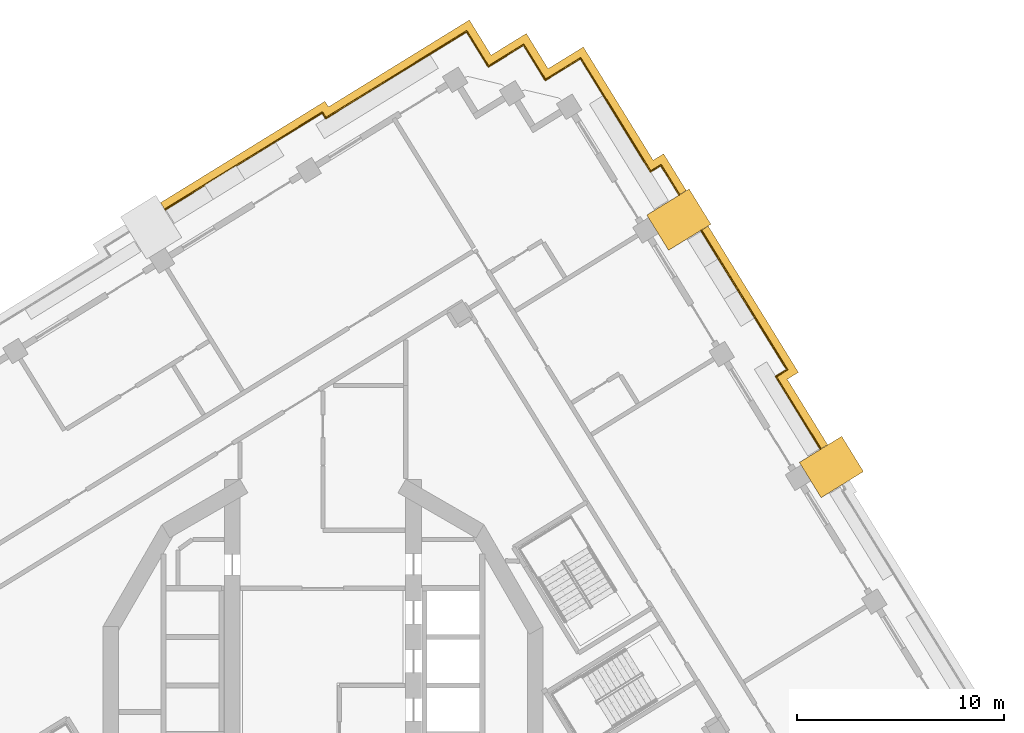
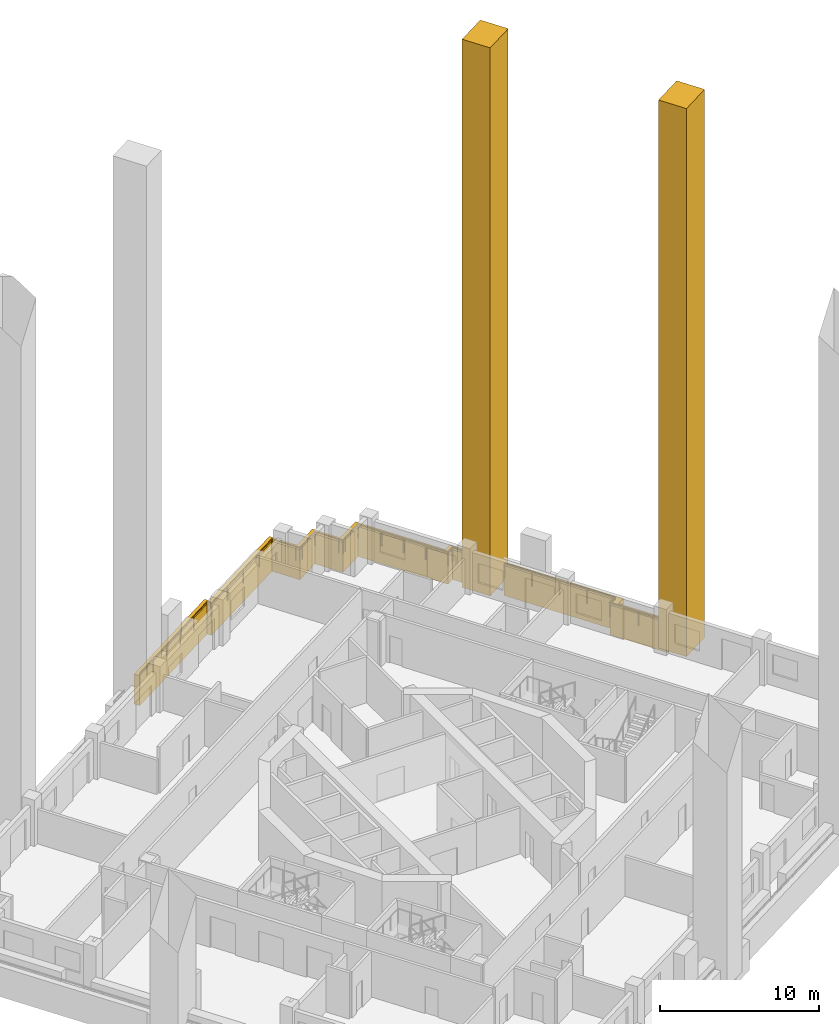
# One storey, part 18 of 19: 4 coverings, 4 railings.
"""IFC4 building model written with IfcOpenShell, lengths in metres."""

from ifc_helpers import new_model, si_unit, direction, frame, origin, origin_2d, place, context, subcontext, project, spatial, polyline, rectangle, circle, outline, extrude, material, type_object, element, save


model = new_model("IFC4")

# Units and contexts
model_context = context("Model", 3, precision=1e-05, world=origin(), true_north=direction((0.0, 1.0)))
body_context = subcontext(model_context, "Body", "Model", "MODEL_VIEW")
ifc_project = project(units=[si_unit("LENGTHUNIT", "METRE"), si_unit("AREAUNIT", "SQUARE_METRE"), si_unit("VOLUMEUNIT", "CUBIC_METRE"), si_unit("PLANEANGLEUNIT", "RADIAN"), si_unit("MASSUNIT", "GRAM", prefix="KILO")], contexts=[model_context])

# Site, building, storey
site_placement = place(None, origin())
site = spatial("IfcSite", under=ifc_project, at=site_placement, CompositionType="ELEMENT")
building_placement = place(site_placement, origin())
building = spatial("IfcBuilding", under=site, at=building_placement, Name="Cantera Rosa Tower", CompositionType="ELEMENT")
storey_placement = place(building_placement, frame((0.0, 0.0, 147.60009765625)))
storey = spatial("IfcBuildingStorey", under=building, at=storey_placement, Name="L31", CompositionType="ELEMENT", Elevation=147.60009765625)

# Railings
ifc_material_1 = material(Name="Stainless steel and laminated glass", Category="steel")
railing_type = type_object("IfcRailingType", Name="GUARD 1100", PredefinedType="BALUSTRADE", material=ifc_material_1)
railing_1_placement = place(storey_placement, frame((21.87841796875, 14.926025390625, 0.0)))
element("IfcRailing", 1, at=railing_1_placement, inside=storey, type_object=railing_type, Name="GUARD L31-12", PredefinedType="BALUSTRADE", context=body_context, shape_type="SweptSolid", body=[
    extrude(circle(Radius=0.030029296875, at=origin_2d()), frame((0.0, 0.0, 1.070068359375), z_axis=(0.524961354573, -0.851126063639, 0.0), x_axis=(0.851126063639, 0.524961354573, 0.0)), (0.0, 0.0, 1.0), 4.09814453125),
    extrude(circle(Radius=0.02490234375, at=origin_2d()), origin(), (0.0, 0.0, 1.0), 1.0400390625),
    extrude(circle(Radius=0.02490234375, at=origin_2d()), frame((1.07568359375, -1.744140625, 0.0)), (0.0, 0.0, 1.0), 1.0400390625),
    extrude(circle(Radius=0.02490234375, at=origin_2d()), frame((2.1513671875, -3.488037109375, 0.0)), (0.0, 0.0, 1.0), 1.0400390625),
])
railing_2_placement = place(storey_placement, frame((18.281005859375, 21.9677734375, 0.0)))
element("IfcRailing", 2, at=railing_2_placement, inside=storey, type_object=railing_type, Name="GUARD L31-13", PredefinedType="BALUSTRADE", context=body_context, shape_type="SweptSolid", body=[
    extrude(circle(Radius=0.030029296875, at=origin_2d()), frame((0.0, 0.0, 1.070068359375), z_axis=(0.524983698437, -0.851112281885, 0.0), x_axis=(0.851112281885, 0.524983698437, 0.0)), (0.0, 0.0, 1.0), 7.882080078125),
    extrude(circle(Radius=0.030029296875, at=origin_2d()), frame((4.137939453125, -6.70849609375, 1.070068359375), z_axis=(-0.85122239687, -0.524805136281, 0.0), x_axis=(0.524805136281, -0.85122239687, 0.0)), (0.0, 0.0, 1.0), 0.635009765625),
    extrude(circle(Radius=0.02490234375, at=origin_2d()), origin(), (0.0, 0.0, 1.0), 1.0400390625),
    extrude(circle(Radius=0.02490234375, at=origin_2d()), frame((1.034423828125, -1.67724609375, 0.0)), (0.0, 0.0, 1.0), 1.0400390625),
    extrude(circle(Radius=0.02490234375, at=origin_2d()), frame((2.06884765625, -3.354248046875, 0.0)), (0.0, 0.0, 1.0), 1.0400390625),
    extrude(circle(Radius=0.02490234375, at=origin_2d()), frame((3.103515625, -5.03125, 0.0)), (0.0, 0.0, 1.0), 1.0400390625),
    extrude(circle(Radius=0.02490234375, at=origin_2d()), frame((4.137939453125, -6.70849609375, 0.0)), (0.0, 0.0, 1.0), 1.0400390625),
    extrude(circle(Radius=0.02490234375, at=origin_2d()), frame((3.597412109375, -7.041748046875, 0.0)), (0.0, 0.0, 1.0), 1.0400390625),
])
railing_3_placement = place(storey_placement, frame((12.44873046875, 30.2958984375, 0.0)))
element("IfcRailing", 3, at=railing_3_placement, inside=storey, type_object=railing_type, Name="GUARD L31-14", PredefinedType="BALUSTRADE", context=body_context, shape_type="SweptSolid", body=[
    extrude(circle(Radius=0.030029296875, at=origin_2d()), frame((0.0, 0.0, 1.070068359375), z_axis=(0.524994468487, -0.851105638601, 0.0), x_axis=(0.851105638601, 0.524994468487, 0.0)), (0.0, 0.0, 1.0), 1.7001953125),
    extrude(circle(Radius=0.030029296875, at=origin_2d()), frame((0.892578125, -1.447021484375, 1.070068359375), z_axis=(0.525004673435, -0.851099343715, 0.0), x_axis=(0.851099343715, 0.525004673435, 0.0)), (0.0, 0.0, 1.0), 4.72802734375),
    extrude(circle(Radius=0.030029296875, at=origin_2d()), frame((3.374755859375, -5.470947265625, 1.070068359375), z_axis=(0.851204663561, 0.524833898231, 0.0), x_axis=(-0.524833898231, 0.851204663561, 0.0)), (0.0, 0.0, 1.0), 0.591796875),
    extrude(circle(Radius=0.030029296875, at=origin_2d()), frame((3.87841796875, -5.160400390625, 1.070068359375), z_axis=(0.525064312401, -0.85106255225, 0.0), x_axis=(0.85106255225, 0.525064312401, 0.0)), (0.0, 0.0, 1.0), 1.661865234375),
    extrude(circle(Radius=0.02490234375, at=origin_2d()), origin(), (0.0, 0.0, 1.0), 1.0400390625),
    extrude(circle(Radius=0.02490234375, at=origin_2d()), frame((0.892578125, -1.447021484375, 0.0)), (0.0, 0.0, 1.0), 1.0400390625),
    extrude(circle(Radius=0.02490234375, at=origin_2d()), frame((1.719970703125, -2.788330078125, 0.0)), (0.0, 0.0, 1.0), 1.0400390625),
    extrude(circle(Radius=0.02490234375, at=origin_2d()), frame((2.54736328125, -4.129638671875, 0.0)), (0.0, 0.0, 1.0), 1.0400390625),
    extrude(circle(Radius=0.02490234375, at=origin_2d()), frame((3.374755859375, -5.470947265625, 0.0)), (0.0, 0.0, 1.0), 1.0400390625),
    extrude(circle(Radius=0.02490234375, at=origin_2d()), frame((3.87841796875, -5.160400390625, 0.0)), (0.0, 0.0, 1.0), 1.0400390625),
    extrude(circle(Radius=0.02490234375, at=origin_2d()), frame((4.7509765625, -6.57470703125, 0.0)), (0.0, 0.0, 1.0), 1.0400390625),
])
railing_4_placement = place(storey_placement, frame((-7.6162109375, 22.99560546875, 0.0)))
element("IfcRailing", 4, at=railing_4_placement, inside=storey, type_object=railing_type, Name="GUARD L31-15", PredefinedType="BALUSTRADE", context=body_context, shape_type="SweptSolid", body=[
    extrude(circle(Radius=0.030029296875, at=origin_2d()), frame((0.0, 0.0, 1.070068359375), z_axis=(0.851115983017, 0.524977698053, 0.0), x_axis=(-0.524977698053, 0.851115983017, 0.0)), (0.0, 0.0, 1.0), 8.910400390625),
    extrude(circle(Radius=0.030029296875, at=origin_2d()), frame((7.583740234375, 4.677734375, 1.070068359375), z_axis=(0.525330545402, -0.850898241899, 0.0), x_axis=(0.850898241899, 0.525330545402, 0.0)), (0.0, 0.0, 1.0), 0.3203125),
    extrude(circle(Radius=0.030029296875, at=origin_2d()), frame((7.751953125, 4.4052734375, 1.070068359375), z_axis=(0.851122963342, 0.524966381087, 0.0), x_axis=(-0.524966381087, 0.851122963342, 0.0)), (0.0, 0.0, 1.0), 6.2998046875),
    extrude(circle(Radius=0.030029296875, at=origin_2d()), frame((13.11376953125, 7.71240234375, 1.070068359375), z_axis=(0.851130227454, 0.524954603669, 0.0), x_axis=(-0.524954603669, 0.851130227454, 0.0)), (0.0, 0.0, 1.0), 1.699951171875),
    extrude(circle(Radius=0.030029296875, at=origin_2d()), frame((14.560546875, 8.604736328125, 1.070068359375), z_axis=(0.525058638144, -0.851066052965, 0.0), x_axis=(0.851066052965, 0.525058638144, 0.0)), (0.0, 0.0, 1.0), 1.699951171875),
    extrude(circle(Radius=0.030029296875, at=origin_2d()), frame((15.453125, 7.157958984375, 1.070068359375), z_axis=(0.524869051004, -0.85118298814, 0.0), x_axis=(0.85118298814, 0.524869051004, 0.0)), (0.0, 0.0, 1.0), 0.300048828125),
    extrude(circle(Radius=0.030029296875, at=origin_2d()), frame((15.610595703125, 6.902587890625, 1.070068359375), z_axis=(0.85118298814, 0.524869051004, 0.0), x_axis=(-0.524869051004, 0.85118298814, 0.0)), (0.0, 0.0, 1.0), 0.300048828125),
    extrude(circle(Radius=0.030029296875, at=origin_2d()), frame((15.865966796875, 7.06005859375, 1.070068359375), z_axis=(0.851066052965, 0.525058638144, 0.0), x_axis=(-0.525058638144, 0.851066052965, 0.0)), (0.0, 0.0, 1.0), 1.699951171875),
    extrude(circle(Radius=0.030029296875, at=origin_2d()), frame((17.312744140625, 7.95263671875, 1.070068359375), z_axis=(0.524994468487, -0.851105638601, 0.0), x_axis=(0.851105638601, 0.524994468487, 0.0)), (0.0, 0.0, 1.0), 1.7001953125),
    extrude(circle(Radius=0.030029296875, at=origin_2d()), frame((18.205322265625, 6.505615234375, 1.070068359375), z_axis=(0.524869051004, -0.85118298814, 0.0), x_axis=(0.85118298814, 0.524869051004, 0.0)), (0.0, 0.0, 1.0), 0.300048828125),
    extrude(circle(Radius=0.030029296875, at=origin_2d()), frame((18.36279296875, 6.250244140625, 1.070068359375), z_axis=(0.85118298814, 0.524869051004, 0.0), x_axis=(-0.524869051004, 0.85118298814, 0.0)), (0.0, 0.0, 1.0), 0.300048828125),
    extrude(circle(Radius=0.030029296875, at=origin_2d()), frame((18.6181640625, 6.40771484375, 1.070068359375), z_axis=(0.851066052965, 0.525058638144, 0.0), x_axis=(-0.525058638144, 0.851066052965, 0.0)), (0.0, 0.0, 1.0), 1.699951171875),
    extrude(circle(Radius=0.02490234375, at=origin_2d()), origin(), (0.0, 0.0, 1.0), 1.0400390625),
    extrude(circle(Radius=0.02490234375, at=origin_2d()), frame((1.516845703125, 0.935546875, 0.0)), (0.0, 0.0, 1.0), 1.0400390625),
    extrude(circle(Radius=0.02490234375, at=origin_2d()), frame((3.033447265625, 1.87109375, 0.0)), (0.0, 0.0, 1.0), 1.0400390625),
    extrude(circle(Radius=0.02490234375, at=origin_2d()), frame((4.55029296875, 2.806640625, 0.0)), (0.0, 0.0, 1.0), 1.0400390625),
    extrude(circle(Radius=0.02490234375, at=origin_2d()), frame((6.06689453125, 3.7421875, 0.0)), (0.0, 0.0, 1.0), 1.0400390625),
    extrude(circle(Radius=0.02490234375, at=origin_2d()), frame((7.583740234375, 4.677734375, 0.0)), (0.0, 0.0, 1.0), 1.0400390625),
    extrude(circle(Radius=0.02490234375, at=origin_2d()), frame((7.751953125, 4.4052734375, 0.0)), (0.0, 0.0, 1.0), 1.0400390625),
    extrude(circle(Radius=0.02490234375, at=origin_2d()), frame((9.539306640625, 5.507568359375, 0.0)), (0.0, 0.0, 1.0), 1.0400390625),
    extrude(circle(Radius=0.02490234375, at=origin_2d()), frame((11.326416015625, 6.610107421875, 0.0)), (0.0, 0.0, 1.0), 1.0400390625),
    extrude(circle(Radius=0.02490234375, at=origin_2d()), frame((13.11376953125, 7.71240234375, 0.0)), (0.0, 0.0, 1.0), 1.0400390625),
    extrude(circle(Radius=0.02490234375, at=origin_2d()), frame((14.560546875, 8.604736328125, 0.0)), (0.0, 0.0, 1.0), 1.0400390625),
    extrude(circle(Radius=0.02490234375, at=origin_2d()), frame((15.453125, 7.157958984375, 0.0)), (0.0, 0.0, 1.0), 1.0400390625),
    extrude(circle(Radius=0.02490234375, at=origin_2d()), frame((15.610595703125, 6.902587890625, 0.0)), (0.0, 0.0, 1.0), 1.0400390625),
    extrude(circle(Radius=0.02490234375, at=origin_2d()), frame((15.865966796875, 7.06005859375, 0.0)), (0.0, 0.0, 1.0), 1.0400390625),
    extrude(circle(Radius=0.02490234375, at=origin_2d()), frame((17.312744140625, 7.95263671875, 0.0)), (0.0, 0.0, 1.0), 1.0400390625),
    extrude(circle(Radius=0.02490234375, at=origin_2d()), frame((18.205322265625, 6.505615234375, 0.0)), (0.0, 0.0, 1.0), 1.0400390625),
    extrude(circle(Radius=0.02490234375, at=origin_2d()), frame((18.36279296875, 6.250244140625, 0.0)), (0.0, 0.0, 1.0), 1.0400390625),
    extrude(circle(Radius=0.02490234375, at=origin_2d()), frame((18.6181640625, 6.40771484375, 0.0)), (0.0, 0.0, 1.0), 1.0400390625),
    extrude(circle(Radius=0.02490234375, at=origin_2d()), frame((20.06494140625, 7.30029296875, 0.0)), (0.0, 0.0, 1.0), 1.0400390625),
])

# Coverings
ifc_material_2 = material(Name="Cantera stone", Category="masonry")
covering_type_1 = type_object("IfcCoveringType", Name="STONE FIN 2000x2400", PredefinedType="CLADDING", material=ifc_material_2)
for number, where, z_axis, x_axis, name in (
    (5, (24.564697265625, 10.557861328125, -0.300048828125), (0.0, 0.0, 1.0), (-0.52497658034, 0.851116672434, 0.0), "STONE FIN FN-Z3-01"),
    (6, (17.194091796875, 22.50732421875, -0.300048828125), (0.0, 0.0, 1.0), (-0.52497658034, 0.851116672434, 0.0), "STONE FIN FN-Z3-02"),
):
    element("IfcCovering", number, at=place(storey_placement, frame(where, z_axis=z_axis, x_axis=x_axis)), inside=storey, type_object=covering_type_1, Name=name, PredefinedType="CLADDING", context=body_context, shape_type="SweptSolid", body=[
        extrude(rectangle(XDim=2.0, YDim=2.39990234375, at=origin_2d()), origin(), (0.0, 0.0, 1.0), 42.10009765625),
    ])
ifc_material_3 = material(Name="Cantera stone", Category="masonry")
covering_type_2 = type_object("IfcCoveringType", Name="TRAY FASCIA 400", PredefinedType="CLADDING", material=ifc_material_3)
covering_1_placement = place(storey_placement, frame((0.0, 0.0, -1.400146484375)))
element("IfcCovering", 7, at=covering_1_placement, inside=storey, type_object=covering_type_2, Name="TRAY FASCIA L31-05", PredefinedType="CLADDING", context=body_context, shape_type="SweptSolid", body=[
    extrude(outline(polyline([(0.09814453125, 28.223876953125), (0.26611328125, 27.951171875), (5.28759765625, 31.04833984375), (7.074951171875, 32.15087890625), (8.124755859375, 30.44873046875), (9.8271484375, 31.49853515625), (10.876953125, 29.79638671875), (12.579345703125, 30.84619140625), (13.681640625, 29.05908203125), (15.953857421875, 25.375244140625), (16.45751953125, 25.68603515625), (17.550537109375, 23.9140625), (17.210205078125, 23.7041015625), (16.3271484375, 25.135498046875), (15.823486328125, 24.824951171875), (13.34130859375, 28.848876953125), (12.44873046875, 30.2958984375), (11.001953125, 29.4033203125), (10.74658203125, 29.245849609375), (10.589111328125, 29.501220703125), (9.696533203125, 30.9482421875), (8.249755859375, 30.0556640625), (7.994384765625, 29.898193359375), (7.8369140625, 30.153564453125), (6.9443359375, 31.600341796875), (5.49755859375, 30.7080078125), (0.1357421875, 27.40087890625), (-0.032470703125, 27.67333984375), (-7.633056640625, 22.985107421875), (-7.843017578125, 23.32568359375), (0.09814453125, 28.223876953125)])), origin(), (0.0, 0.0, 1.0), 2.300048828125),
])
covering_2_placement = place(storey_placement, frame((0.0, 0.0, -1.400146484375)))
element("IfcCovering", 8, at=covering_2_placement, inside=storey, type_object=covering_type_2, Name="TRAY FASCIA L31-07", PredefinedType="CLADDING", context=body_context, shape_type="SweptSolid", body=[
    extrude(outline(polyline([(22.969482421875, 15.12890625), (22.4287109375, 14.79541015625), (24.380615234375, 11.630859375), (24.040283203125, 11.4208984375), (21.87841796875, 14.926025390625), (22.4189453125, 15.25927734375), (18.2705078125, 21.98486328125), (18.611083984375, 22.19482421875), (22.969482421875, 15.12890625)])), origin(), (0.0, 0.0, 1.0), 2.300048828125),
])

save(model, "model.ifc")
